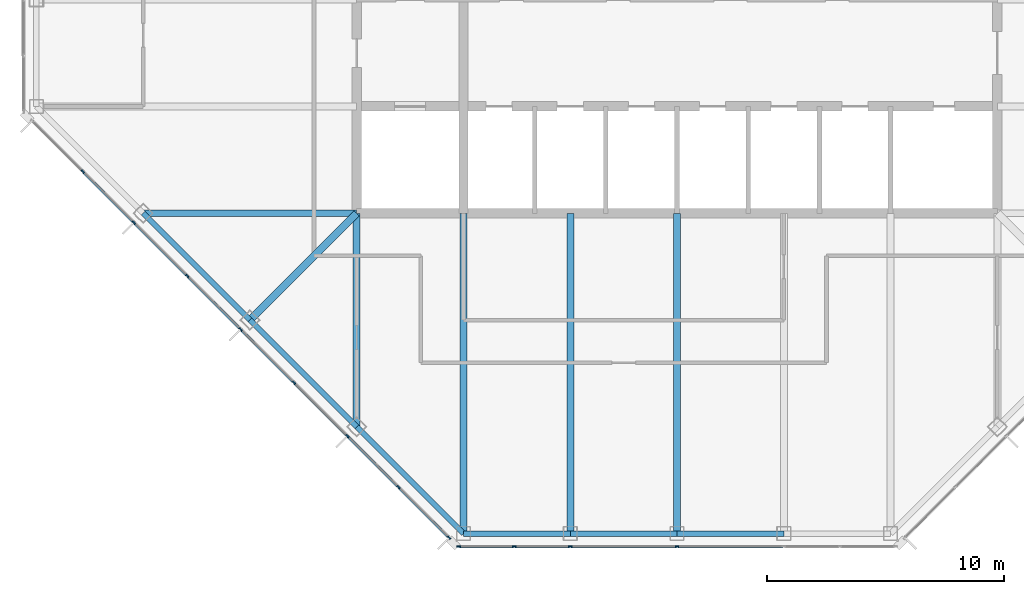
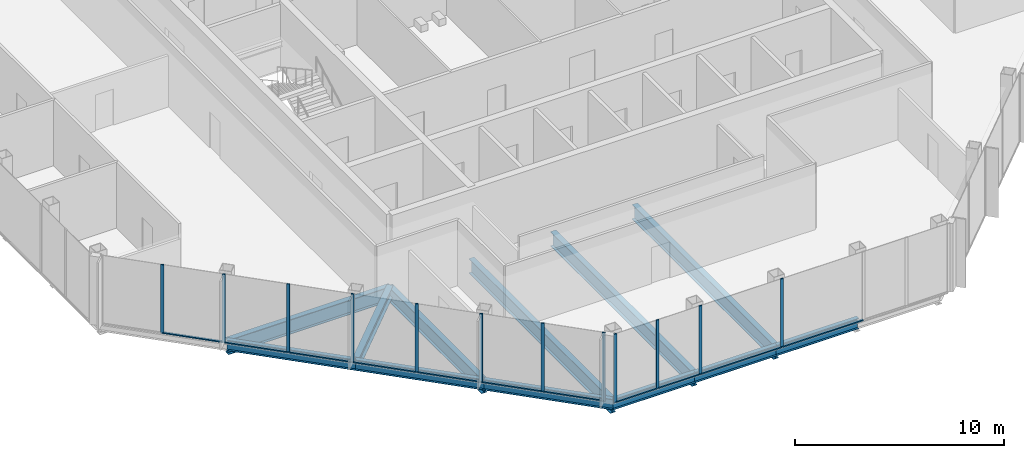
# One storey, part 2 of 14: 23 members, 12 beams, 2 elements without a shape of their own.
"""IFC4 building model written with IfcOpenShell, lengths in metres."""

from ifc_helpers import new_model, si_unit, direction, frame, origin, origin_2d, place, context, subcontext, project, spatial, rectangle, i_section, extrude, material, material_profile, profile_set, type_object, element, aggregate, save


model = new_model("IFC4")

# Units and contexts
model_context = context("Model", 3, precision=1e-05, world=origin(), true_north=direction((0.0, 1.0)))
body_context = subcontext(model_context, "Body", "Model", "MODEL_VIEW")
ifc_project = project(units=[si_unit("LENGTHUNIT", "METRE"), si_unit("AREAUNIT", "SQUARE_METRE"), si_unit("VOLUMEUNIT", "CUBIC_METRE"), si_unit("PLANEANGLEUNIT", "RADIAN"), si_unit("MASSUNIT", "GRAM", prefix="KILO")], contexts=[model_context])

# Site, building, storey
site_placement = place(None, origin())
site = spatial("IfcSite", under=ifc_project, at=site_placement, CompositionType="ELEMENT")
building_placement = place(site_placement, origin())
building = spatial("IfcBuilding", under=site, at=building_placement, Name="Corais Broadcast Tower", CompositionType="ELEMENT")
storey_placement = place(building_placement, frame((0.0, 0.0, 290.60009765625)))
storey = spatial("IfcBuildingStorey", under=building, at=storey_placement, Name="L68", CompositionType="ELEMENT", Elevation=290.60009765625)

# Beams
ifc_material_1 = material(Name="Steel ASTM A572 Grade 50", Category="steel")
ifc_material_profile_1 = material_profile(ifc_material_1, i_section(OverallWidth=0.323974609375, OverallDepth=0.611083984375, WebThickness=0.0126953125, FlangeThickness=0.01904296875, at=origin_2d()), Name="W610x155")
ifc_profile_set_1 = profile_set([ifc_material_profile_1], Name="Steel ASTM A572 Grade 50")
beam_type_1 = type_object("IfcBeamType", Name="Corner diagonal W610x155", PredefinedType="BEAM", material=ifc_profile_set_1)
beam_1_placement = place(storey_placement, frame((9.0, 9.0, -0.465576171875), z_axis=(0.707106781187, 0.707106781187, 0.0), x_axis=(-0.707106781187, 0.707106781187, 0.0)))
element("IfcBeam", 1, at=beam_1_placement, inside=storey, type_object=beam_type_1, Name="B6 C/5 to D/6", PredefinedType="BEAM", context=body_context, shape_type="SweptSolid", body=[
    extrude(i_section(OverallWidth=0.323974609375, OverallDepth=0.611083984375, WebThickness=0.0126953125, FlangeThickness=0.01904296875, at=origin_2d()), origin(), (0.0, 0.0, 1.0), 6.364013671875),
])
ifc_material_2 = material(Name="Steel ASTM A572 Grade 50", Category="steel")
ifc_material_profile_2 = material_profile(ifc_material_2, i_section(OverallWidth=0.2939453125, OverallDepth=0.85107421875, WebThickness=0.01611328125, FlangeThickness=0.02685546875, at=origin_2d()), Name="W840x226")
ifc_profile_set_2 = profile_set([ifc_material_profile_2], Name="Steel ASTM A572 Grade 50")
beam_type_2 = type_object("IfcBeamType", Name="Floor beam W840x226", PredefinedType="BEAM", material=ifc_profile_set_2)
beam_2_placement = place(storey_placement, frame((13.5, 4.5, -0.585693359375), z_axis=(0.0, 1.0, 0.0), x_axis=(-1.0, 0.0, 0.0)))
element("IfcBeam", 2, at=beam_2_placement, inside=storey, type_object=beam_type_2, Name="B1 B/6 to D/6", PredefinedType="BEAM", context=body_context, shape_type="SweptSolid", body=[
    extrude(i_section(OverallWidth=0.2939453125, OverallDepth=0.85107421875, WebThickness=0.01611328125, FlangeThickness=0.02685546875, at=origin_2d()), origin(), (0.0, 0.0, 1.0), 9.0),
])
for number, where, z_axis, x_axis, name in (
    (3, (18.0, 0.0, -0.585693359375), (0.0, 1.0, 0.0), (-1.0, 0.0, 0.0), "B1 A/7 to D/7"),
    (4, (22.5, 0.0, -0.585693359375), (0.0, 1.0, 0.0), (-1.0, 0.0, 0.0), "B1 A/8 to D/8"),
    (5, (27.0, 0.0, -0.585693359375), (0.0, 1.0, 0.0), (-1.0, 0.0, 0.0), "B1 A/9 to D/9"),
):
    element("IfcBeam", number, at=place(storey_placement, frame(where, z_axis=z_axis, x_axis=x_axis)), inside=storey, type_object=beam_type_2, Name=name, PredefinedType="BEAM", context=body_context, shape_type="SweptSolid", body=[
        extrude(i_section(OverallWidth=0.2939453125, OverallDepth=0.85107421875, WebThickness=0.01611328125, FlangeThickness=0.02685546875, at=origin_2d()), origin(), (0.0, 0.0, 1.0), 13.5),
    ])
beam_3_placement = place(storey_placement, frame((4.5, 13.5, -0.585693359375), z_axis=(1.0, 0.0, 0.0), x_axis=(0.0, 1.0, 0.0)))
element("IfcBeam", 6, at=beam_3_placement, inside=storey, type_object=beam_type_2, Name="B1 D/4 to D/6", PredefinedType="BEAM", context=body_context, shape_type="SweptSolid", body=[
    extrude(i_section(OverallWidth=0.2939453125, OverallDepth=0.85107421875, WebThickness=0.01611328125, FlangeThickness=0.02685546875, at=origin_2d()), origin(), (0.0, 0.0, 1.0), 9.0),
])

# Curtain wall, members
ifc_material_3 = material(Name="Aluminium and glass", Category="aluminium")
curtain_wall_type = type_object("IfcCurtainWallType", Name="Unitised fritted curtain wall CW3", PredefinedType="NOTDEFINED", material=ifc_material_3)
curtain_wall_1_placement = place(storey_placement, origin())
curtain_wall_1 = element("IfcCurtainWall", 7, at=curtain_wall_1_placement, inside=storey, type_object=curtain_wall_type, Name="CW3 curtain wall L68 1", PredefinedType="NOTDEFINED")
ifc_material_4 = material(Name="Aluminium 6063-T6", Category="aluminium")
ifc_material_profile_3 = material_profile(ifc_material_4, rectangle(XDim=0.06494140625, YDim=0.159912109375, at=origin_2d()), Name="Mullion CW3 65x160")
ifc_profile_set_3 = profile_set([ifc_material_profile_3], Name="Aluminium 6063-T6")
member_type_1 = type_object("IfcMemberType", Name="Mullion CW3 65x160", PredefinedType="MULLION", material=ifc_profile_set_3)
member_1_placement = place(storey_placement, frame((17.3955078125, -0.17333984375, 0.0), z_axis=(0.0, 0.0, 1.0), x_axis=(-0.707106781187, -0.707106781187, 0.0)))
member_1 = element("IfcMember", 8, at=member_1_placement, type_object=member_type_1, Name="CW3 mullion 1", PredefinedType="MULLION", context=body_context, shape_type="SweptSolid", body=[
    extrude(rectangle(XDim=0.06494140625, YDim=0.159912109375, at=origin_2d()), origin(), (0.0, 0.0, 1.0), 4.0),
])
member_2_placement = place(storey_placement, frame((15.264892578125, 1.957275390625, 0.0), z_axis=(0.0, 0.0, 1.0), x_axis=(-0.707106781187, -0.707106781187, 0.0)))
member_2 = element("IfcMember", 9, at=member_2_placement, type_object=member_type_1, Name="CW3 mullion 2", PredefinedType="MULLION", context=body_context, shape_type="SweptSolid", body=[
    extrude(rectangle(XDim=0.06494140625, YDim=0.159912109375, at=origin_2d()), origin(), (0.0, 0.0, 1.0), 4.0),
])
member_3_placement = place(storey_placement, frame((13.111083984375, 4.111083984375, 0.0), z_axis=(0.0, 0.0, 1.0), x_axis=(-0.707106781187, -0.707106781187, 0.0)))
member_3 = element("IfcMember", 10, at=member_3_placement, type_object=member_type_1, Name="CW3 mullion 3", PredefinedType="MULLION", context=body_context, shape_type="SweptSolid", body=[
    extrude(rectangle(XDim=0.06494140625, YDim=0.159912109375, at=origin_2d()), origin(), (0.0, 0.0, 1.0), 4.0),
])
member_4_placement = place(storey_placement, frame((10.861083984375, 6.361083984375, 0.0), z_axis=(0.0, 0.0, 1.0), x_axis=(-0.707106781187, -0.707106781187, 0.0)))
member_4 = element("IfcMember", 11, at=member_4_placement, type_object=member_type_1, Name="CW3 mullion 4", PredefinedType="MULLION", context=body_context, shape_type="SweptSolid", body=[
    extrude(rectangle(XDim=0.06494140625, YDim=0.159912109375, at=origin_2d()), origin(), (0.0, 0.0, 1.0), 4.0),
])
member_5_placement = place(storey_placement, frame((8.611083984375, 8.611083984375, 0.0), z_axis=(0.0, 0.0, 1.0), x_axis=(-0.707106781187, -0.707106781187, 0.0)))
member_5 = element("IfcMember", 12, at=member_5_placement, type_object=member_type_1, Name="CW3 mullion 5", PredefinedType="MULLION", context=body_context, shape_type="SweptSolid", body=[
    extrude(rectangle(XDim=0.06494140625, YDim=0.159912109375, at=origin_2d()), origin(), (0.0, 0.0, 1.0), 4.0),
])
member_6_placement = place(storey_placement, frame((6.361083984375, 10.861083984375, 0.0), z_axis=(0.0, 0.0, 1.0), x_axis=(-0.707106781187, -0.707106781187, 0.0)))
member_6 = element("IfcMember", 13, at=member_6_placement, type_object=member_type_1, Name="CW3 mullion 6", PredefinedType="MULLION", context=body_context, shape_type="SweptSolid", body=[
    extrude(rectangle(XDim=0.06494140625, YDim=0.159912109375, at=origin_2d()), origin(), (0.0, 0.0, 1.0), 4.0),
])
member_7_placement = place(storey_placement, frame((4.111083984375, 13.111083984375, 0.0), z_axis=(0.0, 0.0, 1.0), x_axis=(-0.707106781187, -0.707106781187, 0.0)))
member_7 = element("IfcMember", 14, at=member_7_placement, type_object=member_type_1, Name="CW3 mullion 7", PredefinedType="MULLION", context=body_context, shape_type="SweptSolid", body=[
    extrude(rectangle(XDim=0.06494140625, YDim=0.159912109375, at=origin_2d()), origin(), (0.0, 0.0, 1.0), 4.0),
])
member_8_placement = place(storey_placement, frame((1.957275390625, 15.264892578125, 0.0), z_axis=(0.0, 0.0, 1.0), x_axis=(-0.707106781187, -0.707106781187, 0.0)))
member_8 = element("IfcMember", 15, at=member_8_placement, type_object=member_type_1, Name="CW3 mullion 8", PredefinedType="MULLION", context=body_context, shape_type="SweptSolid", body=[
    extrude(rectangle(XDim=0.06494140625, YDim=0.159912109375, at=origin_2d()), origin(), (0.0, 0.0, 1.0), 4.0),
])

curtain_wall_2_placement = place(storey_placement, origin())
curtain_wall_2 = element("IfcCurtainWall", 16, at=curtain_wall_2_placement, inside=storey, type_object=curtain_wall_type, Name="CW3 curtain wall L68 8", PredefinedType="NOTDEFINED")
member_9_placement = place(storey_placement, frame((27.0, -0.550048828125, 0.0), z_axis=(0.0, 0.0, 1.0), x_axis=(0.0, -1.0, 0.0)))
member_9 = element("IfcMember", 17, at=member_9_placement, type_object=member_type_1, Name="CW3 mullion 4", PredefinedType="MULLION", context=body_context, shape_type="SweptSolid", body=[
    extrude(rectangle(XDim=0.06494140625, YDim=0.159912109375, at=origin_2d()), origin(), (0.0, 0.0, 1.0), 4.0),
])
member_10_placement = place(storey_placement, frame((22.5, -0.550048828125, 0.0), z_axis=(0.0, 0.0, 1.0), x_axis=(0.0, -1.0, 0.0)))
member_10 = element("IfcMember", 18, at=member_10_placement, type_object=member_type_1, Name="CW3 mullion 5", PredefinedType="MULLION", context=body_context, shape_type="SweptSolid", body=[
    extrude(rectangle(XDim=0.06494140625, YDim=0.159912109375, at=origin_2d()), origin(), (0.0, 0.0, 1.0), 4.0),
])
member_11_placement = place(storey_placement, frame((20.135986328125, -0.550048828125, 0.0), z_axis=(0.0, 0.0, 1.0), x_axis=(0.0, -1.0, 0.0)))
member_11 = element("IfcMember", 19, at=member_11_placement, type_object=member_type_1, Name="CW3 mullion 6", PredefinedType="MULLION", context=body_context, shape_type="SweptSolid", body=[
    extrude(rectangle(XDim=0.06494140625, YDim=0.159912109375, at=origin_2d()), origin(), (0.0, 0.0, 1.0), 4.0),
])
member_12_placement = place(storey_placement, frame((17.8046875, -0.550048828125, 0.0), z_axis=(0.0, 0.0, 1.0), x_axis=(0.0, -1.0, 0.0)))
member_12 = element("IfcMember", 20, at=member_12_placement, type_object=member_type_1, Name="CW3 mullion 7", PredefinedType="MULLION", context=body_context, shape_type="SweptSolid", body=[
    extrude(rectangle(XDim=0.06494140625, YDim=0.159912109375, at=origin_2d()), origin(), (0.0, 0.0, 1.0), 4.0),
])

# Beams
ifc_material_5 = material(Name="Steel ASTM A572 Grade 50", Category="steel")
ifc_material_profile_4 = material_profile(ifc_material_5, i_section(OverallWidth=0.22998046875, OverallDepth=0.616943359375, WebThickness=0.01318359375, FlangeThickness=0.022216796875, at=origin_2d()), Name="W610x140")
ifc_profile_set_4 = profile_set([ifc_material_profile_4], Name="Steel ASTM A572 Grade 50")
beam_type_3 = type_object("IfcBeamType", Name="Spandrel W610x140", PredefinedType="BEAM", material=ifc_profile_set_4)
beam_4_placement = place(storey_placement, frame((13.5, 4.5, -0.468505859375), z_axis=(0.707106781187, -0.707106781187, 0.0), x_axis=(0.707106781187, 0.707106781187, 0.0)))
element("IfcBeam", 21, at=beam_4_placement, inside=storey, type_object=beam_type_3, Name="SB3 B/6 to A/7", PredefinedType="BEAM", context=body_context, shape_type="SweptSolid", body=[
    extrude(i_section(OverallWidth=0.22998046875, OverallDepth=0.616943359375, WebThickness=0.01318359375, FlangeThickness=0.022216796875, at=origin_2d()), origin(), (0.0, 0.0, 1.0), 6.364013671875),
])
for number, where, z_axis, x_axis, name in (
    (22, (18.0, 0.0, -0.468505859375), (1.0, 0.0, 0.0), (0.0, 1.0, 0.0), "SB3 A/7 to A/8"),
    (23, (22.5, 0.0, -0.468505859375), (1.0, 0.0, 0.0), (0.0, 1.0, 0.0), "SB3 A/8 to A/9"),
    (24, (27.0, 0.0, -0.468505859375), (1.0, 0.0, 0.0), (0.0, 1.0, 0.0), "SB3 A/9 to A/10"),
):
    element("IfcBeam", number, at=place(storey_placement, frame(where, z_axis=z_axis, x_axis=x_axis)), inside=storey, type_object=beam_type_3, Name=name, PredefinedType="BEAM", context=body_context, shape_type="SweptSolid", body=[
        extrude(i_section(OverallWidth=0.22998046875, OverallDepth=0.616943359375, WebThickness=0.01318359375, FlangeThickness=0.022216796875, at=origin_2d()), origin(), (0.0, 0.0, 1.0), 4.5),
    ])
for number, where, z_axis, x_axis, name in (
    (25, (4.5, 13.5, -0.468505859375), (0.707106781187, -0.707106781187, 0.0), (0.707106781187, 0.707106781187, 0.0), "SB3 D/4 to C/5"),
    (26, (9.0, 9.0, -0.468505859375), (0.707106781187, -0.707106781187, 0.0), (0.707106781187, 0.707106781187, 0.0), "SB3 C/5 to B/6"),
):
    element("IfcBeam", number, at=place(storey_placement, frame(where, z_axis=z_axis, x_axis=x_axis)), inside=storey, type_object=beam_type_3, Name=name, PredefinedType="BEAM", context=body_context, shape_type="SweptSolid", body=[
        extrude(i_section(OverallWidth=0.22998046875, OverallDepth=0.616943359375, WebThickness=0.01318359375, FlangeThickness=0.022216796875, at=origin_2d()), origin(), (0.0, 0.0, 1.0), 6.364013671875),
    ])

# Member
ifc_material_6 = material(Name="Aluminium 6063-T6", Category="aluminium")
ifc_material_profile_5 = material_profile(ifc_material_6, rectangle(XDim=0.1201171875, YDim=0.06494140625, at=origin_2d()), Name="Transom CW3 65x120")
ifc_profile_set_5 = profile_set([ifc_material_profile_5], Name="Aluminium 6063-T6")
member_type_2 = type_object("IfcMemberType", Name="Transom CW3 65x120", PredefinedType="USERDEFINED", material=ifc_profile_set_5)
member_13_placement = place(storey_placement, frame((17.37255859375, -0.150390625, 0.032470703125), z_axis=(-0.707106781187, 0.707106781187, 0.0), x_axis=(-0.707106781187, -0.707106781187, 0.0)))
member_13 = element("IfcMember", 27, at=member_13_placement, type_object=member_type_2, Name="CW3 transom 1.1", ObjectType="TRANSOM", PredefinedType="USERDEFINED", context=body_context, shape_type="SweptSolid", body=[
    extrude(rectangle(XDim=0.1201171875, YDim=0.06494140625, at=origin_2d()), origin(), (0.0, 0.0, 1.0), 2.9482421875),
])

member_14_placement = place(storey_placement, frame((15.241943359375, 1.980224609375, 0.032470703125), z_axis=(-0.707106781187, 0.707106781187, 0.0), x_axis=(-0.707106781187, -0.707106781187, 0.0)))
member_14 = element("IfcMember", 28, at=member_14_placement, type_object=member_type_2, Name="CW3 transom 2.1", ObjectType="TRANSOM", PredefinedType="USERDEFINED", context=body_context, shape_type="SweptSolid", body=[
    extrude(rectangle(XDim=0.1201171875, YDim=0.06494140625, at=origin_2d()), origin(), (0.0, 0.0, 1.0), 2.98095703125),
])

member_15_placement = place(storey_placement, frame((13.088134765625, 4.134033203125, 0.032470703125), z_axis=(-0.707106781187, 0.707106781187, 0.0), x_axis=(-0.707106781187, -0.707106781187, 0.0)))
member_15 = element("IfcMember", 29, at=member_15_placement, type_object=member_type_2, Name="CW3 transom 3.1", ObjectType="TRANSOM", PredefinedType="USERDEFINED", context=body_context, shape_type="SweptSolid", body=[
    extrude(rectangle(XDim=0.1201171875, YDim=0.06494140625, at=origin_2d()), origin(), (0.0, 0.0, 1.0), 3.1171875),
])

member_16_placement = place(storey_placement, frame((10.838134765625, 6.384033203125, 0.032470703125), z_axis=(-0.707106781187, 0.707106781187, 0.0), x_axis=(-0.707106781187, -0.707106781187, 0.0)))
member_16 = element("IfcMember", 30, at=member_16_placement, type_object=member_type_2, Name="CW3 transom 4.1", ObjectType="TRANSOM", PredefinedType="USERDEFINED", context=body_context, shape_type="SweptSolid", body=[
    extrude(rectangle(XDim=0.1201171875, YDim=0.06494140625, at=origin_2d()), origin(), (0.0, 0.0, 1.0), 3.1171875),
])

member_17_placement = place(storey_placement, frame((8.588134765625, 8.634033203125, 0.032470703125), z_axis=(-0.707106781187, 0.707106781187, 0.0), x_axis=(-0.707106781187, -0.707106781187, 0.0)))
member_17 = element("IfcMember", 31, at=member_17_placement, type_object=member_type_2, Name="CW3 transom 5.1", ObjectType="TRANSOM", PredefinedType="USERDEFINED", context=body_context, shape_type="SweptSolid", body=[
    extrude(rectangle(XDim=0.1201171875, YDim=0.06494140625, at=origin_2d()), origin(), (0.0, 0.0, 1.0), 3.1171875),
])

member_18_placement = place(storey_placement, frame((6.338134765625, 10.884033203125, 0.032470703125), z_axis=(-0.707106781187, 0.707106781187, 0.0), x_axis=(-0.707106781187, -0.707106781187, 0.0)))
member_18 = element("IfcMember", 32, at=member_18_placement, type_object=member_type_2, Name="CW3 transom 6.1", ObjectType="TRANSOM", PredefinedType="USERDEFINED", context=body_context, shape_type="SweptSolid", body=[
    extrude(rectangle(XDim=0.1201171875, YDim=0.06494140625, at=origin_2d()), origin(), (0.0, 0.0, 1.0), 3.1171875),
])

member_19_placement = place(storey_placement, frame((4.088134765625, 13.134033203125, 0.032470703125), z_axis=(-0.707065828661, 0.70714773134, 0.0), x_axis=(-0.70714773134, -0.707065828661, 0.0)))
member_19 = element("IfcMember", 33, at=member_19_placement, type_object=member_type_2, Name="CW3 transom 7.1", ObjectType="TRANSOM", PredefinedType="USERDEFINED", context=body_context, shape_type="SweptSolid", body=[
    extrude(rectangle(XDim=0.1201171875, YDim=0.06494140625, at=origin_2d()), origin(), (0.0, 0.0, 1.0), 2.98095703125),
])

aggregate(curtain_wall_1, [member_1, member_2, member_3, member_4, member_5, member_6, member_7, member_8, member_13, member_14, member_15, member_16, member_17, member_18, member_19])

member_20_placement = place(storey_placement, frame((31.467529296875, -0.550048828125, 0.032470703125), z_axis=(-1.0, 0.0, 0.0), x_axis=(0.0, -1.0, 0.0)))
member_20 = element("IfcMember", 34, at=member_20_placement, type_object=member_type_2, Name="CW3 transom 3.1", ObjectType="TRANSOM", PredefinedType="USERDEFINED", context=body_context, shape_type="SweptSolid", body=[
    extrude(rectangle(XDim=0.1201171875, YDim=0.06494140625, at=origin_2d()), origin(), (0.0, 0.0, 1.0), 4.43505859375),
])

member_21_placement = place(storey_placement, frame((26.967529296875, -0.550048828125, 0.032470703125), z_axis=(-1.0, 0.0, 0.0), x_axis=(0.0, -1.0, 0.0)))
member_21 = element("IfcMember", 35, at=member_21_placement, type_object=member_type_2, Name="CW3 transom 4.1", ObjectType="TRANSOM", PredefinedType="USERDEFINED", context=body_context, shape_type="SweptSolid", body=[
    extrude(rectangle(XDim=0.1201171875, YDim=0.06494140625, at=origin_2d()), origin(), (0.0, 0.0, 1.0), 4.43505859375),
])

member_22_placement = place(storey_placement, frame((22.467529296875, -0.550048828125, 0.032470703125), z_axis=(-1.0, 0.0, 0.0), x_axis=(0.0, -1.0, 0.0)))
member_22 = element("IfcMember", 36, at=member_22_placement, type_object=member_type_2, Name="CW3 transom 5.1", ObjectType="TRANSOM", PredefinedType="USERDEFINED", context=body_context, shape_type="SweptSolid", body=[
    extrude(rectangle(XDim=0.1201171875, YDim=0.06494140625, at=origin_2d()), origin(), (0.0, 0.0, 1.0), 2.298828125),
])

member_23_placement = place(storey_placement, frame((20.103515625, -0.550048828125, 0.032470703125), z_axis=(-1.0, 0.0, 0.0), x_axis=(0.0, -1.0, 0.0)))
member_23 = element("IfcMember", 37, at=member_23_placement, type_object=member_type_2, Name="CW3 transom 6.1", ObjectType="TRANSOM", PredefinedType="USERDEFINED", context=body_context, shape_type="SweptSolid", body=[
    extrude(rectangle(XDim=0.1201171875, YDim=0.06494140625, at=origin_2d()), origin(), (0.0, 0.0, 1.0), 2.266357421875),
])

aggregate(curtain_wall_2, [member_9, member_10, member_11, member_12, member_20, member_21, member_22, member_23])

save(model, "model.ifc")
